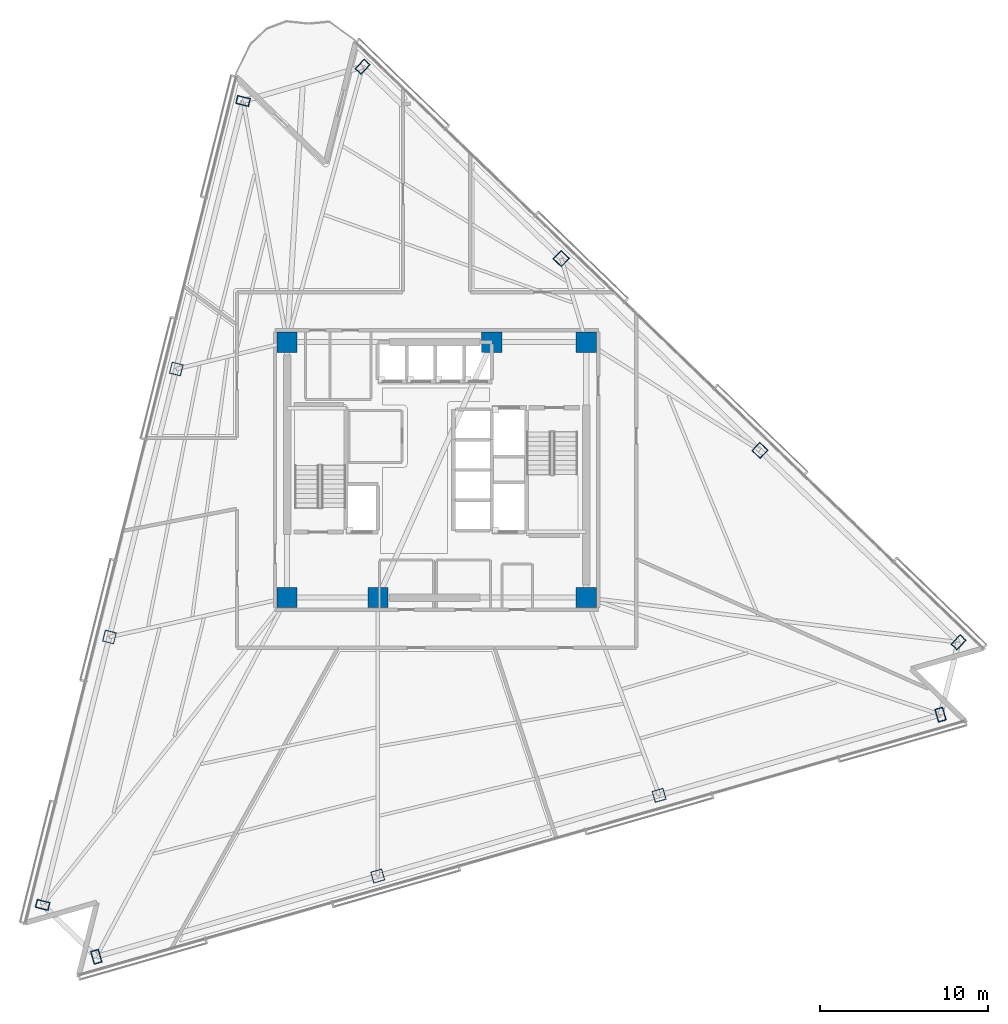
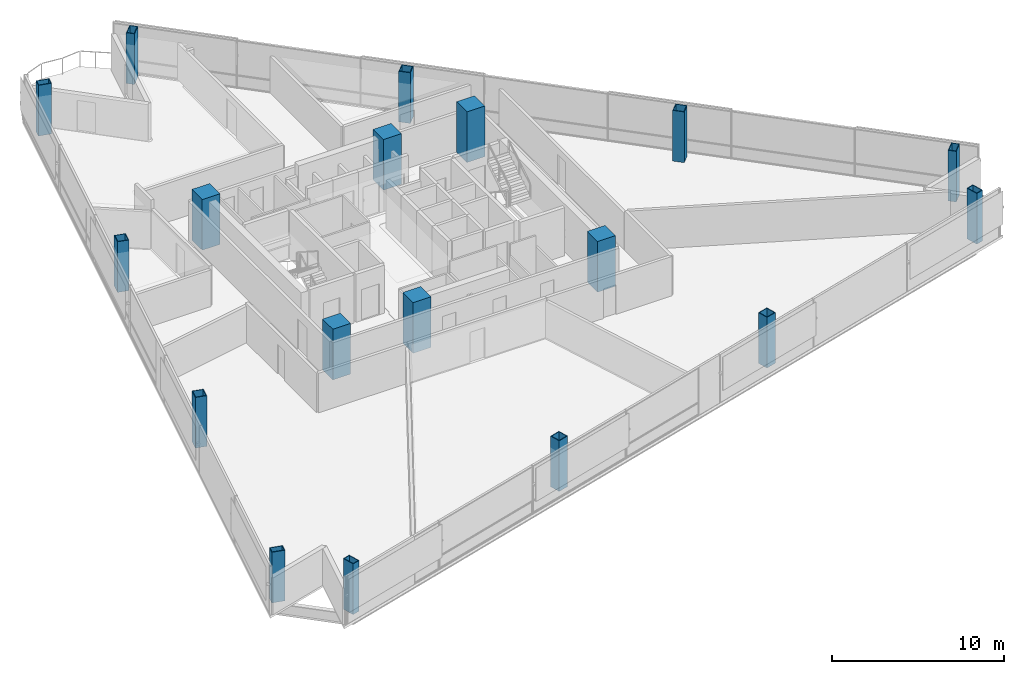
# One storey, part 1 of 17: 18 columns.
"""IFC4 building model written with IfcOpenShell, lengths in metres."""

import ifcopenshell
import ifcopenshell.guid

model = None  # the IFC model being written
_history = None  # IfcOwnerHistory: only IFC2X3 demands one
_inside = {}  # id of a spatial element -> (the spatial element, [elements in it])
_under = {}  # id of a project, library or spatial element -> (it, [spatial elements below it])
_declared = {}  # id of a project -> (the project, [libraries it declares])
_typed = {}  # id of a type object -> (the type object, [elements of that type])
_made_of = {}  # id of a material, layer set ... -> (it, [elements and type objects made of it])


def new_model(schema):
    """Start an empty IFC model of exactly this schema.

    Asked for "IFC4X3", IfcOpenShell would pick the latest addendum, in which some entities
    have other attributes; the version numbers below select the first issue.
    IFC2X3 requires an IfcOwnerHistory on every rooted entity: one is made here for all.
    """
    global model, _history
    if schema == "IFC4X3":
        model = ifcopenshell.file(schema_version=(4, 3, 0, 0))
    else:
        model = ifcopenshell.file(schema=schema)
    _inside.clear()
    _under.clear()
    _declared.clear()
    _typed.clear()
    _made_of.clear()
    _history = None
    if model.schema == "IFC2X3":
        org = make("IfcOrganization", Name="unknown")
        user = make(
            "IfcPersonAndOrganization",
            ThePerson=make("IfcPerson", FamilyName="unknown"),
            TheOrganization=org,
        )
        app = make(
            "IfcApplication",
            ApplicationDeveloper=org,
            Version="unknown",
            ApplicationFullName="unknown",
            ApplicationIdentifier="unknown",
        )
        _history = make(
            "IfcOwnerHistory",
            OwningUser=user,
            OwningApplication=app,
            ChangeAction="ADDED",
            CreationDate=0,
        )
    return model


def make(cls, **values):
    """One entity of the class cls with the attributes given. An attribute that is None is left unset."""
    return model.create_entity(
        cls, **{name: value for name, value in values.items() if value is not None}
    )


def rooted(cls, **values):
    """An entity with a GlobalId (a new one), such as an element, a storey or a relation."""
    return make(cls, GlobalId=ifcopenshell.guid.new(), OwnerHistory=_history, **values)


def si_unit(unit_type, name, prefix=None):
    """IfcSIUnit, for example si_unit("LENGTHUNIT", "METRE", prefix="MILLI")."""
    return make("IfcSIUnit", UnitType=unit_type, Prefix=prefix, Name=name)


def assignment(units):
    """IfcUnitAssignment: the units of a project."""
    return None if units is None else make("IfcUnitAssignment", Units=units)


def point(xyz):
    """IfcCartesianPoint."""
    return None if xyz is None else make("IfcCartesianPoint", Coordinates=xyz)


def direction(xyz):
    """IfcDirection."""
    return None if xyz is None else make("IfcDirection", DirectionRatios=xyz)


def frame(location, z_axis=None, x_axis=None):
    """IfcAxis2Placement3D, a coordinate frame: its origin and axes. An axis left out is left unset."""
    return make(
        "IfcAxis2Placement3D",
        Location=point(location),
        Axis=direction(z_axis),
        RefDirection=direction(x_axis),
    )


def frame_2d(location, x_axis=None):
    """IfcAxis2Placement2D, a coordinate frame in the plane: its origin and x axis."""
    return make(
        "IfcAxis2Placement2D", Location=point(location), RefDirection=direction(x_axis)
    )


def origin():
    """The frame at (0, 0, 0) with its axes left unset."""
    return frame((0.0, 0.0, 0.0))


def origin_2d():
    """The frame at (0, 0) in the plane with its x axis left unset."""
    return frame_2d((0.0, 0.0))


def place(relative_to, where):
    """IfcLocalPlacement: puts the frame where relative to a parent placement (None: the world)."""
    return make(
        "IfcLocalPlacement", PlacementRelTo=relative_to, RelativePlacement=where
    )


def context(
    kind, dimensions, precision=None, world=None, true_north=None, identifier=None
):
    """IfcGeometricRepresentationContext, for example the 3D "Model" context."""
    return make(
        "IfcGeometricRepresentationContext",
        ContextIdentifier=identifier,
        ContextType=kind,
        CoordinateSpaceDimension=dimensions,
        Precision=precision,
        WorldCoordinateSystem=world,
        TrueNorth=true_north,
    )


def subcontext(parent, identifier, kind, view, scale=None):
    """IfcGeometricRepresentationSubContext, for example "Body" below "Model"."""
    return make(
        "IfcGeometricRepresentationSubContext",
        ContextIdentifier=identifier,
        ContextType=kind,
        ParentContext=parent,
        TargetScale=scale,
        TargetView=view,
    )


def project(units=None, contexts=None):
    """IfcProject with its units and contexts."""
    return rooted(
        "IfcProject",
        Name="project",
        RepresentationContexts=contexts,
        UnitsInContext=assignment(units),
    )


def spatial(cls, under=None, at=None, **own):
    """A site, building, storey or space (cls), placed at a placement, below another one or the project."""
    s = rooted(cls, ObjectPlacement=at, **own)
    if under is not None:
        _under.setdefault(under.id(), (under, []))[1].append(s)
    return s


def profile(cls, at=None, kind="AREA", **sizes):
    """A parametric profile (cls). Its sizes go by their IFC names, for example OverallWidth=200.0."""
    return make(cls, ProfileType=kind, Position=at, **sizes)


def rectangle(**sizes):
    """IfcRectangleProfileDef."""
    return profile("IfcRectangleProfileDef", **sizes)


def hollow_rectangle(**sizes):
    """IfcRectangleHollowProfileDef."""
    return profile("IfcRectangleHollowProfileDef", **sizes)


def extrude(swept, where, along, depth):
    """IfcExtrudedAreaSolid: the profile swept, set in the frame where, extruded along a direction by depth."""
    return make(
        "IfcExtrudedAreaSolid",
        SweptArea=swept,
        Position=where,
        ExtrudedDirection=direction(along),
        Depth=depth,
    )


def shape(context_of_items, identifier, shape_type, items):
    """IfcShapeRepresentation: the items that make up one representation, for example the "Body"."""
    return make(
        "IfcShapeRepresentation",
        ContextOfItems=context_of_items,
        RepresentationIdentifier=identifier,
        RepresentationType=shape_type,
        Items=items,
    )


def material(Name=None, Category=None):
    """IfcMaterial."""
    return make("IfcMaterial", Name=Name, Category=Category)


def material_profile(
    of_material, cross_section, Name=None, Category=None, Priority=None
):
    """IfcMaterialProfile: a cross section and its material."""
    return make(
        "IfcMaterialProfile",
        Name=Name,
        Material=of_material,
        Profile=cross_section,
        Priority=Priority,
        Category=Category,
    )


def profile_set(profiles, Name=None, composite=None):
    """IfcMaterialProfileSet."""
    return make(
        "IfcMaterialProfileSet",
        Name=Name,
        MaterialProfiles=profiles,
        CompositeProfile=composite,
    )


def made_of(thing, what):
    """Note that an element or type object is made of a material, layer set ...; save() writes the relation."""
    if what is not None:
        _made_of.setdefault(what.id(), (what, []))[1].append(thing)
    return thing


def type_object(cls, material=None, **own):
    """A type object (cls), such as IfcWallType, which elements share."""
    return made_of(rooted(cls, **own), material)


def element(
    cls,
    number,
    at=None,
    inside=None,
    cuts=None,
    type_object=None,
    material=None,
    context=None,
    identifier="Body",
    shape_type=None,
    held_by="IfcProductDefinitionShape",
    body=None,
    shapes=None,
    **own,
):
    """One element of the class cls, such as IfcWall. Its Tag is "e" and its number.

    at: its placement. inside: the storey or other place that contains it. cuts: it is an
    opening in that element (IfcRelVoidsElement). A single representation is given by context,
    identifier, shape_type and body (its items); several are given by shapes. held_by: the class
    of the entity that holds the representations. save() writes the other relations.
    """
    e = rooted(cls, Tag="e%d" % number, ObjectPlacement=at, **own)
    if body is not None:
        shapes = [shape(context, identifier, shape_type, body)]
    if shapes is not None:
        e.Representation = make(held_by, Representations=shapes)
    if inside is not None:
        _inside.setdefault(inside.id(), (inside, []))[1].append(e)
    if cuts is not None:
        rooted(
            "IfcRelVoidsElement", RelatingBuildingElement=cuts, RelatedOpeningElement=e
        )
    if type_object is not None:
        _typed.setdefault(type_object.id(), (type_object, []))[1].append(e)
    return made_of(e, material)


def aggregate(whole, parts):
    """IfcRelAggregates: a whole, such as a stair, and the parts it consists of."""
    return rooted("IfcRelAggregates", RelatingObject=whole, RelatedObjects=parts)


def save(model, path):
    """Write the relations noted so far, then the file.

    IfcRelAggregates (storeys below a building ...), IfcRelContainedInSpatialStructure (elements
    in a storey), IfcRelDefinesByType, IfcRelAssociatesMaterial and IfcRelDeclares: one each for
    every whole, place, type object, material and project.
    """
    for whole, parts in _under.values():
        aggregate(whole, parts)
    for where, things in _inside.values():
        rooted(
            "IfcRelContainedInSpatialStructure",
            RelatedElements=things,
            RelatingStructure=where,
        )
    for kind, things in _typed.values():
        rooted("IfcRelDefinesByType", RelatedObjects=things, RelatingType=kind)
    for what, things in _made_of.values():
        rooted("IfcRelAssociatesMaterial", RelatedObjects=things, RelatingMaterial=what)
    for by, libraries in _declared.values():
        rooted("IfcRelDeclares", RelatingContext=by, RelatedDefinitions=libraries)
    model.write(path)


model = new_model("IFC4")

# Units and contexts
model_context = context("Model", 3, precision=1e-05, world=origin(), true_north=direction((0.0, 1.0)))
body_context = subcontext(model_context, "Body", "Model", "MODEL_VIEW")
ifc_project = project(units=[si_unit("LENGTHUNIT", "METRE"), si_unit("AREAUNIT", "SQUARE_METRE"), si_unit("VOLUMEUNIT", "CUBIC_METRE"), si_unit("PLANEANGLEUNIT", "RADIAN"), si_unit("MASSUNIT", "GRAM", prefix="KILO")], contexts=[model_context])

# Site, building, storey
site_placement = place(None, origin())
site = spatial("IfcSite", under=ifc_project, at=site_placement, CompositionType="ELEMENT")
building_placement = place(site_placement, origin())
building = spatial("IfcBuilding", under=site, at=building_placement, Name="Tharavind Bronze Gate", CompositionType="ELEMENT")
storey_placement = place(building_placement, frame((0.0, 0.0, 96.89990234375)))
storey = spatial("IfcBuildingStorey", under=building, at=storey_placement, Name="L24", CompositionType="ELEMENT", Elevation=96.89990234375)

# Columns
ifc_material_1 = material(Name="Steel S460", Category="steel")
ifc_material_profile_1 = material_profile(ifc_material_1, hollow_rectangle(XDim=0.5, YDim=0.800048828125, WallThickness=0.0400390625, at=origin_2d()), Name="RHS800X500X40")
ifc_profile_set_1 = profile_set([ifc_material_profile_1], Name="Steel S460")
column_type_1 = type_object("IfcColumnType", Name="CORNER NOTCH COLUMN RHS800X500", PredefinedType="COLUMN", material=ifc_profile_set_1)
for number, where, z_axis, x_axis, name in (
    (1, (-11.520263671875, 21.952392578125, 0.0), (0.0, 0.0, 1.0), (0.2419218956, 0.970295726276, 0.0), "L24 perimeter column S1C1"),
    (2, (-23.447265625, -25.884521484375, 0.0), (0.0, 0.0, 1.0), (0.2419218956, 0.970295726276, 0.0), "L24 perimeter column S1C4"),
    (3, (-20.25341796875, -28.96875, 0.0), (0.0, 0.0, 1.0), (0.961261695938, 0.275637355817, 0.0), "L24 perimeter column S2C1"),
    (4, (29.9833984375, -14.563720703125, 0.0), (0.0, 0.0, 1.0), (0.961261695938, 0.275637355817, 0.0), "L24 perimeter column S2C4"),
    (5, (31.0576171875, -10.255615234375, 0.0), (0.0, 0.0, 1.0), (-0.719339800339, 0.694658370459, 0.0), "L24 perimeter column S3C1"),
    (6, (-4.406982421875, 23.9921875, 0.0), (0.0, 0.0, 1.0), (-0.719339800339, 0.694658370459, 0.0), "L24 perimeter column S3C4"),
):
    element("IfcColumn", number, at=place(storey_placement, frame(where, z_axis=z_axis, x_axis=x_axis)), inside=storey, type_object=column_type_1, Name=name, PredefinedType="COLUMN", context=body_context, shape_type="SweptSolid", body=[
        extrude(hollow_rectangle(XDim=0.5, YDim=0.800048828125, WallThickness=0.0400390625, at=origin_2d()), origin(), (0.0, 0.0, 1.0), 3.60009765625),
    ])
ifc_material_2 = material(Name="Concrete C60/75", Category="concrete")
ifc_material_profile_2 = material_profile(ifc_material_2, rectangle(XDim=1.199951171875, YDim=1.199951171875, at=origin_2d()), Name="RCCOL1200")
ifc_profile_set_2 = profile_set([ifc_material_profile_2], Name="Concrete C60/75")
column_type_2 = type_object("IfcColumnType", Name="MEGA CORE COLUMN 1200", PredefinedType="COLUMN", material=ifc_profile_set_2)
for number, where, z_axis, x_axis, name in (
    (7, (-8.89990234375, -7.60009765625, 0.0), (0.0, 0.0, 1.0), (1.0, 0.0, 0.0), "L24 core mega column MC1"),
    (8, (-3.5, -7.60009765625, 0.0), (0.0, 0.0, 1.0), (1.0, 0.0, 0.0), "L24 core mega column MC2"),
    (9, (8.89990234375, -7.60009765625, 0.0), (0.0, 0.0, 1.0), (1.0, 0.0, 0.0), "L24 core mega column MC3"),
    (10, (8.89990234375, 7.60009765625, 0.0), (0.0, 0.0, 1.0), (1.0, 0.0, 0.0), "L24 core mega column MC4"),
    (11, (3.280029296875, 7.60009765625, 0.0), (0.0, 0.0, 1.0), (1.0, 0.0, 0.0), "L24 core mega column MC5"),
    (12, (-8.89990234375, 7.60009765625, 0.0), (0.0, 0.0, 1.0), (1.0, 0.0, 0.0), "L24 core mega column MC6"),
):
    element("IfcColumn", number, at=place(storey_placement, frame(where, z_axis=z_axis, x_axis=x_axis)), inside=storey, type_object=column_type_2, Name=name, PredefinedType="COLUMN", context=body_context, shape_type="SweptSolid", body=[
        extrude(rectangle(XDim=1.199951171875, YDim=1.199951171875, at=origin_2d()), origin(), (0.0, 0.0, 1.0), 3.60009765625),
    ])
ifc_material_profile_3 = material_profile(ifc_material_1, hollow_rectangle(XDim=0.699951171875, YDim=0.699951171875, WallThickness=0.0400390625, at=origin_2d()), Name="SHS700X40")
ifc_profile_set_3 = profile_set([ifc_material_profile_3], Name="Steel S460")
column_type_3 = type_object("IfcColumnType", Name="PERIMETER BOX COLUMN SHS700", PredefinedType="COLUMN", material=ifc_profile_set_3)
for number, where, z_axis, x_axis, name in (
    (13, (-15.495849609375, 6.006591796875, 0.0), (0.0, 0.0, 1.0), (0.2419218956, 0.970295726276, 0.0), "L24 perimeter column S1C2"),
    (14, (-19.4716796875, -9.93896484375, 0.0), (0.0, 0.0, 1.0), (0.2419218956, 0.970295726276, 0.0), "L24 perimeter column S1C3"),
    (15, (-3.5078125, -24.1669921875, 0.0), (0.0, 0.0, 1.0), (0.961261695938, 0.275637355817, 0.0), "L24 perimeter column S2C2"),
    (16, (13.23779296875, -19.365234375, 0.0), (0.0, 0.0, 1.0), (0.961261695938, 0.275637355817, 0.0), "L24 perimeter column S2C3"),
    (17, (19.236083984375, 1.160400390625, 0.0), (0.0, 0.0, 1.0), (-0.719339800339, 0.694658370459, 0.0), "L24 perimeter column S3C2"),
    (18, (7.41455078125, 12.576171875, 0.0), (0.0, 0.0, 1.0), (-0.719339800339, 0.694658370459, 0.0), "L24 perimeter column S3C3"),
):
    element("IfcColumn", number, at=place(storey_placement, frame(where, z_axis=z_axis, x_axis=x_axis)), inside=storey, type_object=column_type_3, Name=name, PredefinedType="COLUMN", context=body_context, shape_type="SweptSolid", body=[
        extrude(hollow_rectangle(XDim=0.699951171875, YDim=0.699951171875, WallThickness=0.0400390625, at=origin_2d()), origin(), (0.0, 0.0, 1.0), 3.60009765625),
    ])

save(model, "model.ifc")
